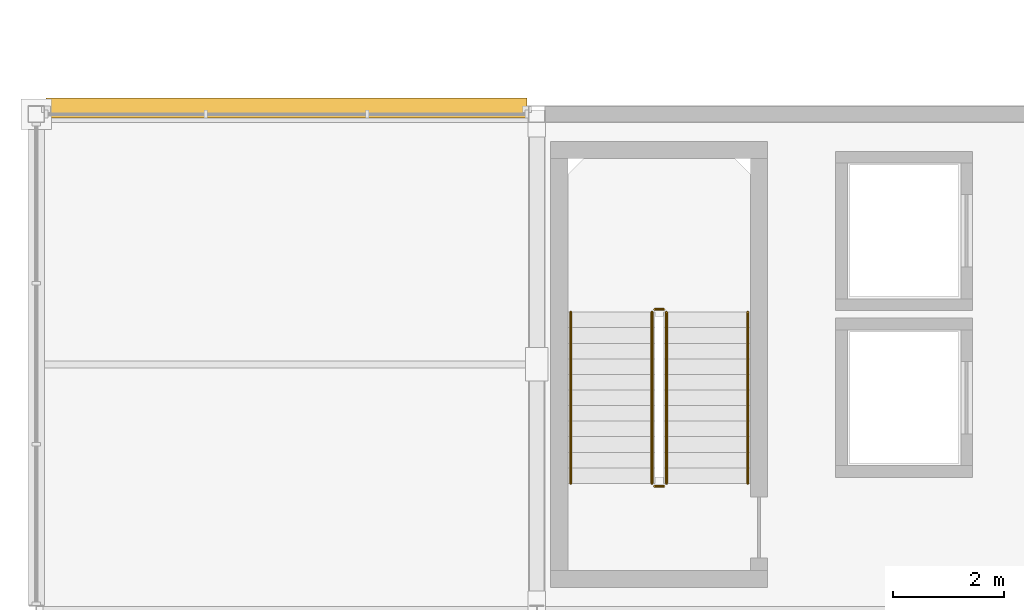
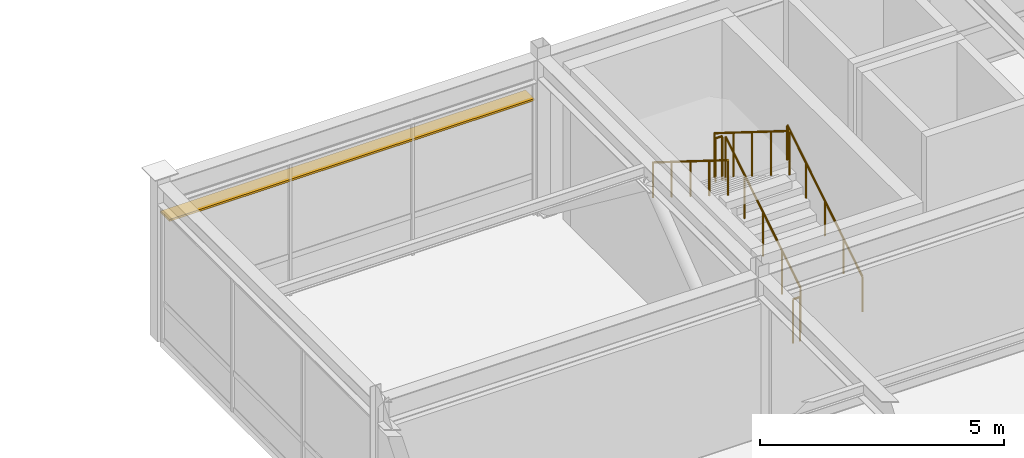
# One storey, part 94 of 108: 6 railings, 1 shading device.
"""IFC4 building model written with IfcOpenShell, lengths in metres."""

import ifcopenshell
import ifcopenshell.guid

model = None  # the IFC model being written
_history = None  # IfcOwnerHistory: only IFC2X3 demands one
_inside = {}  # id of a spatial element -> (the spatial element, [elements in it])
_under = {}  # id of a project, library or spatial element -> (it, [spatial elements below it])
_declared = {}  # id of a project -> (the project, [libraries it declares])
_typed = {}  # id of a type object -> (the type object, [elements of that type])
_made_of = {}  # id of a material, layer set ... -> (it, [elements and type objects made of it])


def new_model(schema):
    """Start an empty IFC model of exactly this schema.

    Asked for "IFC4X3", IfcOpenShell would pick the latest addendum, in which some entities
    have other attributes; the version numbers below select the first issue.
    IFC2X3 requires an IfcOwnerHistory on every rooted entity: one is made here for all.
    """
    global model, _history
    if schema == "IFC4X3":
        model = ifcopenshell.file(schema_version=(4, 3, 0, 0))
    else:
        model = ifcopenshell.file(schema=schema)
    _inside.clear()
    _under.clear()
    _declared.clear()
    _typed.clear()
    _made_of.clear()
    _history = None
    if model.schema == "IFC2X3":
        org = make("IfcOrganization", Name="unknown")
        user = make(
            "IfcPersonAndOrganization",
            ThePerson=make("IfcPerson", FamilyName="unknown"),
            TheOrganization=org,
        )
        app = make(
            "IfcApplication",
            ApplicationDeveloper=org,
            Version="unknown",
            ApplicationFullName="unknown",
            ApplicationIdentifier="unknown",
        )
        _history = make(
            "IfcOwnerHistory",
            OwningUser=user,
            OwningApplication=app,
            ChangeAction="ADDED",
            CreationDate=0,
        )
    return model


def make(cls, **values):
    """One entity of the class cls with the attributes given. An attribute that is None is left unset."""
    return model.create_entity(
        cls, **{name: value for name, value in values.items() if value is not None}
    )


def rooted(cls, **values):
    """An entity with a GlobalId (a new one), such as an element, a storey or a relation."""
    return make(cls, GlobalId=ifcopenshell.guid.new(), OwnerHistory=_history, **values)


def si_unit(unit_type, name, prefix=None):
    """IfcSIUnit, for example si_unit("LENGTHUNIT", "METRE", prefix="MILLI")."""
    return make("IfcSIUnit", UnitType=unit_type, Prefix=prefix, Name=name)


def assignment(units):
    """IfcUnitAssignment: the units of a project."""
    return None if units is None else make("IfcUnitAssignment", Units=units)


def point(xyz):
    """IfcCartesianPoint."""
    return None if xyz is None else make("IfcCartesianPoint", Coordinates=xyz)


def direction(xyz):
    """IfcDirection."""
    return None if xyz is None else make("IfcDirection", DirectionRatios=xyz)


def frame(location, z_axis=None, x_axis=None):
    """IfcAxis2Placement3D, a coordinate frame: its origin and axes. An axis left out is left unset."""
    return make(
        "IfcAxis2Placement3D",
        Location=point(location),
        Axis=direction(z_axis),
        RefDirection=direction(x_axis),
    )


def frame_2d(location, x_axis=None):
    """IfcAxis2Placement2D, a coordinate frame in the plane: its origin and x axis."""
    return make(
        "IfcAxis2Placement2D", Location=point(location), RefDirection=direction(x_axis)
    )


def origin():
    """The frame at (0, 0, 0) with its axes left unset."""
    return frame((0.0, 0.0, 0.0))


def origin_2d():
    """The frame at (0, 0) in the plane with its x axis left unset."""
    return frame_2d((0.0, 0.0))


def place(relative_to, where):
    """IfcLocalPlacement: puts the frame where relative to a parent placement (None: the world)."""
    return make(
        "IfcLocalPlacement", PlacementRelTo=relative_to, RelativePlacement=where
    )


def context(
    kind, dimensions, precision=None, world=None, true_north=None, identifier=None
):
    """IfcGeometricRepresentationContext, for example the 3D "Model" context."""
    return make(
        "IfcGeometricRepresentationContext",
        ContextIdentifier=identifier,
        ContextType=kind,
        CoordinateSpaceDimension=dimensions,
        Precision=precision,
        WorldCoordinateSystem=world,
        TrueNorth=true_north,
    )


def subcontext(parent, identifier, kind, view, scale=None):
    """IfcGeometricRepresentationSubContext, for example "Body" below "Model"."""
    return make(
        "IfcGeometricRepresentationSubContext",
        ContextIdentifier=identifier,
        ContextType=kind,
        ParentContext=parent,
        TargetScale=scale,
        TargetView=view,
    )


def project(units=None, contexts=None):
    """IfcProject with its units and contexts."""
    return rooted(
        "IfcProject",
        Name="project",
        RepresentationContexts=contexts,
        UnitsInContext=assignment(units),
    )


def spatial(cls, under=None, at=None, **own):
    """A site, building, storey or space (cls), placed at a placement, below another one or the project."""
    s = rooted(cls, ObjectPlacement=at, **own)
    if under is not None:
        _under.setdefault(under.id(), (under, []))[1].append(s)
    return s


def profile(cls, at=None, kind="AREA", **sizes):
    """A parametric profile (cls). Its sizes go by their IFC names, for example OverallWidth=200.0."""
    return make(cls, ProfileType=kind, Position=at, **sizes)


def rectangle(**sizes):
    """IfcRectangleProfileDef."""
    return profile("IfcRectangleProfileDef", **sizes)


def circle(**sizes):
    """IfcCircleProfileDef."""
    return profile("IfcCircleProfileDef", **sizes)


def extrude(swept, where, along, depth):
    """IfcExtrudedAreaSolid: the profile swept, set in the frame where, extruded along a direction by depth."""
    return make(
        "IfcExtrudedAreaSolid",
        SweptArea=swept,
        Position=where,
        ExtrudedDirection=direction(along),
        Depth=depth,
    )


def shape(context_of_items, identifier, shape_type, items):
    """IfcShapeRepresentation: the items that make up one representation, for example the "Body"."""
    return make(
        "IfcShapeRepresentation",
        ContextOfItems=context_of_items,
        RepresentationIdentifier=identifier,
        RepresentationType=shape_type,
        Items=items,
    )


def material(Name=None, Category=None):
    """IfcMaterial."""
    return make("IfcMaterial", Name=Name, Category=Category)


def material_profile(
    of_material, cross_section, Name=None, Category=None, Priority=None
):
    """IfcMaterialProfile: a cross section and its material."""
    return make(
        "IfcMaterialProfile",
        Name=Name,
        Material=of_material,
        Profile=cross_section,
        Priority=Priority,
        Category=Category,
    )


def profile_set(profiles, Name=None, composite=None):
    """IfcMaterialProfileSet."""
    return make(
        "IfcMaterialProfileSet",
        Name=Name,
        MaterialProfiles=profiles,
        CompositeProfile=composite,
    )


def made_of(thing, what):
    """Note that an element or type object is made of a material, layer set ...; save() writes the relation."""
    if what is not None:
        _made_of.setdefault(what.id(), (what, []))[1].append(thing)
    return thing


def type_object(cls, material=None, **own):
    """A type object (cls), such as IfcWallType, which elements share."""
    return made_of(rooted(cls, **own), material)


def element(
    cls,
    number,
    at=None,
    inside=None,
    cuts=None,
    type_object=None,
    material=None,
    context=None,
    identifier="Body",
    shape_type=None,
    held_by="IfcProductDefinitionShape",
    body=None,
    shapes=None,
    **own,
):
    """One element of the class cls, such as IfcWall. Its Tag is "e" and its number.

    at: its placement. inside: the storey or other place that contains it. cuts: it is an
    opening in that element (IfcRelVoidsElement). A single representation is given by context,
    identifier, shape_type and body (its items); several are given by shapes. held_by: the class
    of the entity that holds the representations. save() writes the other relations.
    """
    e = rooted(cls, Tag="e%d" % number, ObjectPlacement=at, **own)
    if body is not None:
        shapes = [shape(context, identifier, shape_type, body)]
    if shapes is not None:
        e.Representation = make(held_by, Representations=shapes)
    if inside is not None:
        _inside.setdefault(inside.id(), (inside, []))[1].append(e)
    if cuts is not None:
        rooted(
            "IfcRelVoidsElement", RelatingBuildingElement=cuts, RelatedOpeningElement=e
        )
    if type_object is not None:
        _typed.setdefault(type_object.id(), (type_object, []))[1].append(e)
    return made_of(e, material)


def aggregate(whole, parts):
    """IfcRelAggregates: a whole, such as a stair, and the parts it consists of."""
    return rooted("IfcRelAggregates", RelatingObject=whole, RelatedObjects=parts)


def save(model, path):
    """Write the relations noted so far, then the file.

    IfcRelAggregates (storeys below a building ...), IfcRelContainedInSpatialStructure (elements
    in a storey), IfcRelDefinesByType, IfcRelAssociatesMaterial and IfcRelDeclares: one each for
    every whole, place, type object, material and project.
    """
    for whole, parts in _under.values():
        aggregate(whole, parts)
    for where, things in _inside.values():
        rooted(
            "IfcRelContainedInSpatialStructure",
            RelatedElements=things,
            RelatingStructure=where,
        )
    for kind, things in _typed.values():
        rooted("IfcRelDefinesByType", RelatedObjects=things, RelatingType=kind)
    for what, things in _made_of.values():
        rooted("IfcRelAssociatesMaterial", RelatedObjects=things, RelatingMaterial=what)
    for by, libraries in _declared.values():
        rooted("IfcRelDeclares", RelatingContext=by, RelatedDefinitions=libraries)
    model.write(path)


model = new_model("IFC4")

# Units and contexts
model_context = context("Model", 3, precision=1e-05, world=origin(), true_north=direction((0.0, 1.0)))
body_context = subcontext(model_context, "Body", "Model", "MODEL_VIEW")
ifc_project = project(units=[si_unit("LENGTHUNIT", "METRE"), si_unit("AREAUNIT", "SQUARE_METRE"), si_unit("VOLUMEUNIT", "CUBIC_METRE"), si_unit("PLANEANGLEUNIT", "RADIAN"), si_unit("MASSUNIT", "GRAM", prefix="KILO")], contexts=[model_context])

# Site, building, storey
site_placement = place(None, origin())
site = spatial("IfcSite", under=ifc_project, at=site_placement, CompositionType="ELEMENT")
building_placement = place(site_placement, origin())
building = spatial("IfcBuilding", under=site, at=building_placement, Name="Suzunagisa Mobility Hub", CompositionType="ELEMENT")
storey_placement = place(building_placement, frame((0.0, 0.0, 9.300048828125)))
storey = spatial("IfcBuildingStorey", under=building, at=storey_placement, Name="L02", CompositionType="ELEMENT", Elevation=9.300048828125)

# Railings
ifc_material_1 = material(Name="Stainless Steel SUS304", Category="metal")
railing_type_1 = type_object("IfcRailingType", Name="Interior Well Guardrail IGR-01", PredefinedType="GUARDRAIL", material=ifc_material_1)
railing_1_placement = place(storey_placement, frame((11.330078125, 55.360107421875, 0.175048828125)))
element("IfcRailing", 1, at=railing_1_placement, inside=storey, type_object=railing_type_1, Name="L02 ST-01 stair guard 1", PredefinedType="GUARDRAIL", context=body_context, shape_type="SweptSolid", body=[
    extrude(circle(Radius=0.02392578125, at=origin_2d()), frame((0.0, 0.0, 1.09619140625), z_axis=(0.0, 0.848009633417, 0.529980812513), x_axis=(-1.0, 0.0, 0.0)), (0.0, 0.0, 1.0), 3.6318359375),
    extrude(circle(Radius=0.02099609375, at=origin_2d()), origin(), (0.0, 0.0, 1.0), 1.072021484375),
    extrude(circle(Radius=0.02099609375, at=origin_2d()), frame((0.0, 0.77001953125, 0.481201171875)), (0.0, 0.0, 1.0), 1.072021484375),
    extrude(circle(Radius=0.02099609375, at=origin_2d()), frame((0.0, 1.5400390625, 0.96240234375)), (0.0, 0.0, 1.0), 1.072021484375),
    extrude(circle(Radius=0.02099609375, at=origin_2d()), frame((0.0, 2.309814453125, 1.443603515625)), (0.0, 0.0, 1.0), 1.072021484375),
    extrude(circle(Radius=0.02099609375, at=origin_2d()), frame((0.0, 3.079833984375, 1.9248046875)), (0.0, 0.0, 1.0), 1.072021484375),
])
railing_2_placement = place(storey_placement, frame((11.280029296875, 58.489990234375, 2.099853515625)))
element("IfcRailing", 2, at=railing_2_placement, inside=storey, type_object=railing_type_1, Name="L02 ST-01 stair guard 2", PredefinedType="GUARDRAIL", context=body_context, shape_type="SweptSolid", body=[
    extrude(circle(Radius=0.02392578125, at=origin_2d()), frame((0.0, 0.0, 1.09619140625), z_axis=(-1.0, 0.0, 0.0), x_axis=(0.0, -1.0, 0.0)), (0.0, 0.0, 1.0), 0.159912109375),
    extrude(circle(Radius=0.02099609375, at=origin_2d()), origin(), (0.0, 0.0, 1.0), 1.072021484375),
    extrude(circle(Radius=0.02099609375, at=origin_2d()), frame((-0.159912109375, 0.0, 0.0)), (0.0, 0.0, 1.0), 1.072021484375),
])
railing_3_placement = place(storey_placement, frame((11.070068359375, 58.43994140625, 2.27490234375)))
element("IfcRailing", 3, at=railing_3_placement, inside=storey, type_object=railing_type_1, Name="L02 ST-01 stair guard 3", PredefinedType="GUARDRAIL", context=body_context, shape_type="SweptSolid", body=[
    extrude(circle(Radius=0.02392578125, at=origin_2d()), frame((0.0, 0.0, 1.09619140625), z_axis=(0.0, -0.847979421464, 0.530029150871), x_axis=(1.0, 0.0, 0.0)), (0.0, 0.0, 1.0), 3.632080078125),
    extrude(circle(Radius=0.02099609375, at=origin_2d()), origin(), (0.0, 0.0, 1.0), 1.072021484375),
    extrude(circle(Radius=0.02099609375, at=origin_2d()), frame((0.0, -0.77001953125, 0.481201171875)), (0.0, 0.0, 1.0), 1.072021484375),
    extrude(circle(Radius=0.02099609375, at=origin_2d()), frame((0.0, -1.5400390625, 0.96240234375)), (0.0, 0.0, 1.0), 1.072021484375),
    extrude(circle(Radius=0.02099609375, at=origin_2d()), frame((0.0, -2.309814453125, 1.44384765625)), (0.0, 0.0, 1.0), 1.072021484375),
    extrude(circle(Radius=0.02099609375, at=origin_2d()), frame((0.0, -3.079833984375, 1.925048828125)), (0.0, 0.0, 1.0), 1.072021484375),
])
railing_4_placement = place(storey_placement, frame((11.280029296875, 55.31005859375, 0.0)))
element("IfcRailing", 4, at=railing_4_placement, inside=storey, type_object=railing_type_1, Name="L02 ST-01 stair guard 4", PredefinedType="GUARDRAIL", context=body_context, shape_type="SweptSolid", body=[
    extrude(circle(Radius=0.02392578125, at=origin_2d()), frame((0.0, 0.0, 1.09619140625), z_axis=(-1.0, 0.0, 0.0), x_axis=(0.0, -1.0, 0.0)), (0.0, 0.0, 1.0), 0.159912109375),
    extrude(circle(Radius=0.02099609375, at=origin_2d()), origin(), (0.0, 0.0, 1.0), 1.072021484375),
    extrude(circle(Radius=0.02099609375, at=origin_2d()), frame((-0.159912109375, 0.0, 0.0)), (0.0, 0.0, 1.0), 1.072021484375),
])

# Shading device
ifc_material_2 = material(Name="Fluoropolymer-Coated Extruded Aluminum 6063-T5", Category="aluminium")
ifc_material_profile = material_profile(ifc_material_2, rectangle(XDim=0.360107421875, YDim=0.050048828125, at=origin_2d()), Name="FIN-360x50")
ifc_profile_set = profile_set([ifc_material_profile], Name="Fluoropolymer-Coated Extruded Aluminum 6063-T5")
shading_device_type = type_object("IfcShadingDeviceType", Name="Streamline Aluminum Sunshade SF-01 FIN-360x50", PredefinedType="SHUTTER", material=ifc_profile_set)
shading_device_placement = place(storey_placement, frame((8.820068359375, 62.110107421875, 2.8818359375), z_axis=(-1.0, 0.0, 0.0), x_axis=(0.0, -1.0, 0.0)))
element("IfcShadingDevice", 5, at=shading_device_placement, inside=storey, type_object=shading_device_type, Name="L02 Streamline Speed-Rail Sunshade Fin SF-7", PredefinedType="SHUTTER", context=body_context, shape_type="SweptSolid", body=[
    extrude(rectangle(XDim=0.360107421875, YDim=0.050048828125, at=origin_2d()), origin(), (0.0, 0.0, 1.0), 8.64013671875),
])

# Railings
railing_type_2 = type_object("IfcRailingType", Name="Tubular Stainless Stair Handrail IHR-01", PredefinedType="HANDRAIL", material=ifc_material_1)
railing_5_placement = place(storey_placement, frame((12.7900390625, 55.360107421875, 0.175048828125)))
element("IfcRailing", 6, at=railing_5_placement, inside=storey, type_object=railing_type_2, Name="L02 ST-01 stair handrail 1", PredefinedType="HANDRAIL", context=body_context, shape_type="SweptSolid", body=[
    extrude(circle(Radius=0.02392578125, at=origin_2d()), frame((0.0, 0.0, 0.8759765625), z_axis=(0.0, 0.848009633417, 0.529980812513), x_axis=(-1.0, 0.0, 0.0)), (0.0, 0.0, 1.0), 3.6318359375),
    extrude(circle(Radius=0.02099609375, at=origin_2d()), origin(), (0.0, 0.0, 1.0), 0.851806640625),
    extrude(circle(Radius=0.02099609375, at=origin_2d()), frame((0.0, 0.77001953125, 0.481201171875)), (0.0, 0.0, 1.0), 0.851806640625),
    extrude(circle(Radius=0.02099609375, at=origin_2d()), frame((0.0, 1.5400390625, 0.96240234375)), (0.0, 0.0, 1.0), 0.851806640625),
    extrude(circle(Radius=0.02099609375, at=origin_2d()), frame((0.0, 2.309814453125, 1.443603515625)), (0.0, 0.0, 1.0), 0.851806640625),
    extrude(circle(Radius=0.02099609375, at=origin_2d()), frame((0.0, 3.079833984375, 1.9248046875)), (0.0, 0.0, 1.0), 0.851806640625),
])
railing_6_placement = place(storey_placement, frame((9.610107421875, 58.43994140625, 2.27490234375)))
element("IfcRailing", 7, at=railing_6_placement, inside=storey, type_object=railing_type_2, Name="L02 ST-01 stair handrail 2", PredefinedType="HANDRAIL", context=body_context, shape_type="SweptSolid", body=[
    extrude(circle(Radius=0.02392578125, at=origin_2d()), frame((0.0, 0.0, 0.8759765625), z_axis=(0.0, -0.847979421464, 0.530029150871), x_axis=(1.0, 0.0, 0.0)), (0.0, 0.0, 1.0), 3.632080078125),
    extrude(circle(Radius=0.02099609375, at=origin_2d()), origin(), (0.0, 0.0, 1.0), 0.851806640625),
    extrude(circle(Radius=0.02099609375, at=origin_2d()), frame((0.0, -0.77001953125, 0.481201171875)), (0.0, 0.0, 1.0), 0.851806640625),
    extrude(circle(Radius=0.02099609375, at=origin_2d()), frame((0.0, -1.5400390625, 0.96240234375)), (0.0, 0.0, 1.0), 0.851806640625),
    extrude(circle(Radius=0.02099609375, at=origin_2d()), frame((0.0, -2.309814453125, 1.44384765625)), (0.0, 0.0, 1.0), 0.851806640625),
    extrude(circle(Radius=0.02099609375, at=origin_2d()), frame((0.0, -3.079833984375, 1.925048828125)), (0.0, 0.0, 1.0), 0.851806640625),
])

save(model, "model.ifc")
